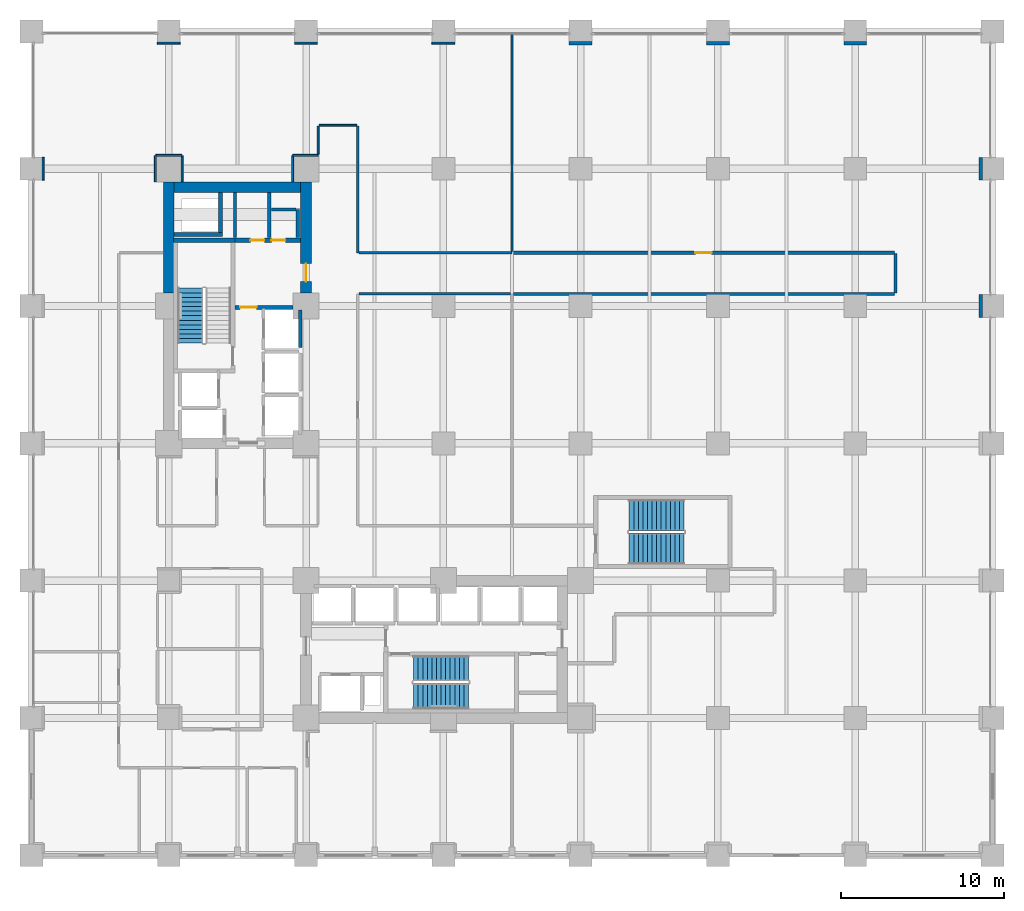
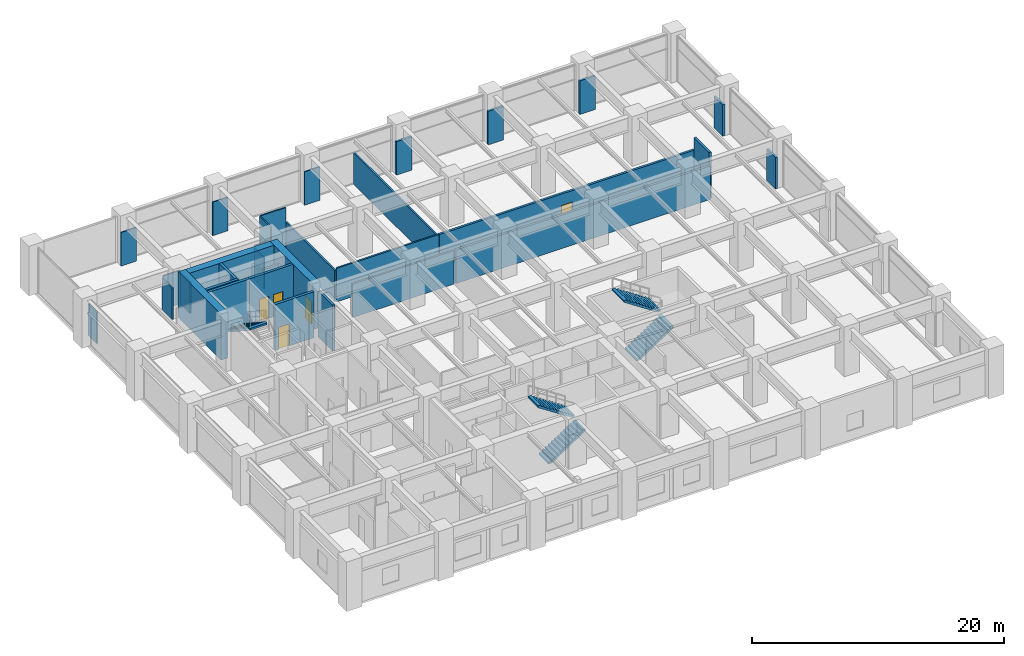
# One storey, part 22 of 24: 36 walls, 5 doors, 5 stair flights, 5 openings, 3 elements without a shape of their own.
"""IFC4 building model written with IfcOpenShell, lengths in metres."""

from ifc_helpers import new_model, si_unit, direction, frame, frame_2d, origin, place, context, subcontext, project, spatial, polyline, rectangle, outline, extrude, material, layer, layer_set, type_object, element, fill, aggregate, save


model = new_model("IFC4")

# Units and contexts
model_context = context("Model", 3, precision=1e-05, world=origin(), true_north=direction((0.0, 1.0)))
body_context = subcontext(model_context, "Body", "Model", "MODEL_VIEW")
ifc_project = project(units=[si_unit("LENGTHUNIT", "METRE"), si_unit("AREAUNIT", "SQUARE_METRE"), si_unit("VOLUMEUNIT", "CUBIC_METRE"), si_unit("PLANEANGLEUNIT", "RADIAN"), si_unit("MASSUNIT", "GRAM", prefix="KILO")], contexts=[model_context])

# Site, building, storey
site_placement = place(None, origin())
site = spatial("IfcSite", under=ifc_project, at=site_placement, CompositionType="ELEMENT")
building_placement = place(site_placement, origin())
building = spatial("IfcBuilding", under=site, at=building_placement, Name="Nerrivon Quay Data Exchange", CompositionType="ELEMENT")
storey_placement = place(building_placement, frame((0.0, 0.0, 15.0)))
storey = spatial("IfcBuildingStorey", under=building, at=storey_placement, Name="L03", CompositionType="ELEMENT", Elevation=15.0)

# Walls
ifc_material_1 = material(Name="Concrete N80 (80 MPa)", Category="concrete")
ifc_layer_1 = layer(ifc_material_1, 0.64990234375)
ifc_layer_set_1 = layer_set([ifc_layer_1], Name="Concrete N80 (80 MPa)")
wall_type_1 = type_object("IfcWallType", Name="WALL-CW-850", PredefinedType="SHEAR", material=ifc_layer_set_1)
wall_1_placement = place(storey_placement, frame((8.39990234375, 34.39990234375, 0.0), z_axis=(0.0, 0.0, 1.0), x_axis=(0.0, 1.0, 0.0)))
element("IfcWall", 1, at=wall_1_placement, inside=storey, type_object=wall_type_1, Name="L03 West Split-Core Shear Wall WCW-W2", PredefinedType="SHEAR", context=body_context, shape_type="SweptSolid", body=[
    extrude(rectangle(XDim=6.800048828125, YDim=0.64990234375, at=frame_2d((3.39990234375, 0.0))), origin(), (0.0, 0.0, 1.0), 4.449951171875),
])
wall_2_placement = place(storey_placement, frame((8.72509765625, 40.875, 0.0), z_axis=(0.0, 0.0, 1.0), x_axis=(1.0, 0.0, 0.0)))
element("IfcWall", 2, at=wall_2_placement, inside=storey, type_object=wall_type_1, Name="L03 West Split-Core Shear Wall WCW-N1", PredefinedType="SHEAR", context=body_context, shape_type="SweptSolid", body=[
    extrude(rectangle(XDim=7.75, YDim=0.64990234375, at=frame_2d((3.875, 0.0))), origin(), (0.0, 0.0, 1.0), 4.449951171875),
])

# Wall, opening, door
wall_3_placement = place(storey_placement, frame((16.800048828125, 34.39990234375, 0.0), z_axis=(0.0, 0.0, 1.0), x_axis=(0.0, 1.0, 0.0)))
wall_3 = element("IfcWall", 3, at=wall_3_placement, inside=storey, type_object=wall_type_1, Name="L03 West Split-Core Shear Wall WCW-E1", PredefinedType="SHEAR", context=body_context, shape_type="SweptSolid", body=[
    extrude(rectangle(XDim=6.800048828125, YDim=0.64990234375, at=frame_2d((3.39990234375, 0.0))), origin(), (0.0, 0.0, 1.0), 4.449951171875),
])
opening_1_placement = place(wall_3_placement, frame((0.699951171875, 0.0, 0.0)))
opening_1 = element("IfcOpeningElement", 4, at=opening_1_placement, cuts=wall_3, Name="Opening FD-120", PredefinedType="OPENING", context=body_context, shape_type="SweptSolid", body=[
    extrude(rectangle(XDim=1.10009765625, YDim=2.14990234375, at=frame_2d((0.550048828125, 1.074951171875))), frame((0.0, 0.3349609375, 0.0), z_axis=(0.0, -1.0, 0.0), x_axis=(1.0, 0.0, 0.0)), (0.0, 0.0, 1.0), 0.669921875),
])
ifc_material_2 = material(Name="Powder-coated galvanized steel sheet", Category="steel")
door_type_1 = type_object("IfcDoorType", Name="DR-FD120-1100", OperationType="NOTDEFINED", PredefinedType="DOOR", material=ifc_material_2)
door_1_placement = place(opening_1_placement, origin())
door_1 = element("IfcDoor", 5, at=door_1_placement, inside=storey, type_object=door_type_1, Name="L03 West Core Lobby Fire Door", OperationType="SINGLE_SWING_RIGHT", OverallHeight=2.14990234375, OverallWidth=1.10009765625, PredefinedType="DOOR", context=body_context, shape_type="SweptSolid", body=[
    extrude(rectangle(XDim=1.10009765625, YDim=2.14990234375, at=frame_2d((0.550048828125, 1.074951171875))), frame((0.0, 0.02490234375, 0.0), z_axis=(0.0, -1.0, 0.0), x_axis=(1.0, 0.0, 0.0)), (0.0, 0.0, 1.0), 0.050048828125),
])
fill(opening_1, door_1)

# Walls
ifc_material_3 = material(Name="Gypsum plasterboard on cold-formed framing", Category="gypsum")
ifc_layer_2 = layer(ifc_material_3, 0.199951171875)
ifc_layer_set_2 = layer_set([ifc_layer_2], Name="Gypsum plasterboard on cold-formed framing")
wall_type_2 = type_object("IfcWallType", Name="WALL-FW-200", PredefinedType="PARTITIONING", material=ifc_layer_set_2)
wall_4_placement = place(storey_placement, frame((16.449951171875, 31.050048828125, 0.0), z_axis=(0.0, 0.0, 1.0), x_axis=(0.0, 1.0, 0.0)))
element("IfcWall", 6, at=wall_4_placement, inside=storey, type_object=wall_type_2, Name="L03 Lift Shaft Wall PL3 EAST", PredefinedType="PARTITIONING", context=body_context, shape_type="SweptSolid", body=[
    extrude(rectangle(XDim=2.300048828125, YDim=0.199951171875, at=frame_2d((1.14990234375, 0.0))), origin(), (0.0, 0.0, 1.0), 4.449951171875),
])
for number, where, z_axis, x_axis, name in (
    (7, (14.550048828125, 37.780029296875, 0.0), (0.0, 0.0, 1.0), (0.0, 1.0, 0.0), "L03 Partition Electrical Switchboard Closet"),
    (8, (12.449951171875, 40.5458984375, 0.0), (0.0, 0.0, 1.0), (0.0, -1.0, 0.0), "L03 Partition Electrical Switchboard Closet"),
):
    element("IfcWall", number, at=place(storey_placement, frame(where, z_axis=z_axis, x_axis=x_axis)), inside=storey, type_object=wall_type_2, Name=name, PredefinedType="PARTITIONING", context=body_context, shape_type="SweptSolid", body=[
        extrude(rectangle(XDim=2.765869140625, YDim=0.199951171875, at=frame_2d((1.3828125, 0.0))), origin(), (0.0, 0.0, 1.0), 3.35009765625),
    ])
wall_5_placement = place(storey_placement, frame((16.300048828125, 37.780029296875, 0.0), z_axis=(0.0, 0.0, 1.0), x_axis=(0.0, 1.0, 0.0)))
element("IfcWall", 9, at=wall_5_placement, inside=storey, type_object=wall_type_2, Name="L03 Partition Janitor Closet", PredefinedType="PARTITIONING", context=body_context, shape_type="SweptSolid", body=[
    extrude(rectangle(XDim=1.719970703125, YDim=0.199951171875, at=frame_2d((0.85986328125, 0.0))), origin(), (0.0, 0.0, 1.0), 3.35009765625),
])
wall_6_placement = place(storey_placement, frame((16.196044921875, 39.5, 0.0), z_axis=(0.0, 0.0, 1.0), x_axis=(-1.0, 0.0, 0.0)))
element("IfcWall", 10, at=wall_6_placement, inside=storey, type_object=wall_type_2, Name="L03 Partition Janitor Closet", PredefinedType="PARTITIONING", context=body_context, shape_type="SweptSolid", body=[
    extrude(rectangle(XDim=1.506103515625, YDim=0.199951171875, at=frame_2d((0.7529296875, 0.0))), origin(), (0.0, 0.0, 1.0), 3.35009765625),
])
wall_7_placement = place(storey_placement, frame((58.080078125, 32.89990234375, 0.0), z_axis=(0.0, 0.0, 1.0), x_axis=(0.0, 1.0, 0.0)))
element("IfcWall", 11, at=wall_7_placement, inside=storey, type_object=wall_type_2, Name="L03 Partition Colocation Data Workspace 1 10", PredefinedType="PARTITIONING", context=body_context, shape_type="SweptSolid", body=[
    extrude(rectangle(XDim=1.400146484375, YDim=0.199951171875, at=frame_2d((0.7001953125, 0.0))), origin(), (0.0, 0.0, 1.0), 3.050048828125),
])
wall_8_placement = place(storey_placement, frame((58.080078125, 41.300048828125, 0.0), z_axis=(0.0, 0.0, 1.0), x_axis=(0.0, 1.0, 0.0)))
element("IfcWall", 12, at=wall_8_placement, inside=storey, type_object=wall_type_2, Name="L03 Partition Colocation Data Workspace 1 10", PredefinedType="PARTITIONING", context=body_context, shape_type="SweptSolid", body=[
    extrude(rectangle(XDim=1.39990234375, YDim=0.199951171875, at=frame_2d((0.699951171875, 0.0))), origin(), (0.0, 0.0, 1.0), 3.050048828125),
])
wall_9_placement = place(storey_placement, frame((51.10009765625, 49.679931640625, 0.0), z_axis=(0.0, 0.0, 1.0), x_axis=(-1.0, 0.0, 0.0)))
element("IfcWall", 13, at=wall_9_placement, inside=storey, type_object=wall_type_2, Name="L03 Partition Colocation Data Workspace 1 10", PredefinedType="PARTITIONING", context=body_context, shape_type="SweptSolid", body=[
    extrude(rectangle(XDim=1.400146484375, YDim=0.199951171875, at=frame_2d((0.7001953125, 0.0))), origin(), (0.0, 0.0, 1.0), 3.25),
])
wall_10_placement = place(storey_placement, frame((42.699951171875, 49.679931640625, 0.0), z_axis=(0.0, 0.0, 1.0), x_axis=(-1.0, 0.0, 0.0)))
element("IfcWall", 14, at=wall_10_placement, inside=storey, type_object=wall_type_2, Name="L03 Partition Colocation Data Workspace 1 10", PredefinedType="PARTITIONING", context=body_context, shape_type="SweptSolid", body=[
    extrude(rectangle(XDim=1.39990234375, YDim=0.199951171875, at=frame_2d((0.699951171875, 0.0))), origin(), (0.0, 0.0, 1.0), 3.25),
])
wall_11_placement = place(storey_placement, frame((34.300048828125, 49.679931640625, 0.0), z_axis=(0.0, 0.0, 1.0), x_axis=(-1.0, 0.0, 0.0)))
element("IfcWall", 15, at=wall_11_placement, inside=storey, type_object=wall_type_2, Name="L03 Partition Colocation Data Workspace 1 10", PredefinedType="PARTITIONING", context=body_context, shape_type="SweptSolid", body=[
    extrude(rectangle(XDim=1.400146484375, YDim=0.199951171875, at=frame_2d((0.7001953125, 0.0))), origin(), (0.0, 0.0, 1.0), 3.25),
])

# Wall, opening, door
wall_12_placement = place(storey_placement, frame((29.419921875, 36.860107421875, 0.0), z_axis=(0.0, 0.0, 1.0), x_axis=(0.999999999782, -2.0879224e-05, 0.0)))
wall_12 = element("IfcWall", 16, at=wall_12_placement, inside=storey, type_object=wall_type_2, Name="L03 Partition Colocation Data Workspace 1 10", PredefinedType="PARTITIONING", context=body_context, shape_type="SweptSolid", body=[
    extrude(rectangle(XDim=23.385986328125, YDim=0.199951171875, at=frame_2d((11.69287109375, 0.0))), origin(), (0.0, 0.0, 1.0), 3.25),
])
opening_2_placement = place(wall_12_placement, frame((11.193115234375, 0.0, 0.0)))
opening_2 = element("IfcOpeningElement", 17, at=opening_2_placement, cuts=wall_12, Name="Opening FD-60", PredefinedType="OPENING", context=body_context, shape_type="SweptSolid", body=[
    extrude(rectangle(XDim=1.0, YDim=2.14990234375, at=frame_2d((0.5, 1.074951171875))), frame((0.0, 0.10986328125, 0.0), z_axis=(0.0, -1.0, 0.0), x_axis=(1.0, 0.0, 0.0)), (0.0, 0.0, 1.0), 0.219970703125),
])
ifc_material_4 = material(Name="Engineered hardwood timber", Category="wood")
door_type_2 = type_object("IfcDoorType", Name="DR-FD60-1000", OperationType="NOTDEFINED", PredefinedType="DOOR", material=ifc_material_4)
door_2_placement = place(opening_2_placement, origin())
door_2 = element("IfcDoor", 18, at=door_2_placement, inside=storey, type_object=door_type_2, Name="L03 Door Colocation Data Workspace 1 10", OperationType="SINGLE_SWING_LEFT", OverallHeight=2.14990234375, OverallWidth=1.0, PredefinedType="DOOR", context=body_context, shape_type="SweptSolid", body=[
    extrude(rectangle(XDim=1.0, YDim=2.14990234375, at=frame_2d((0.5, 1.074951171875))), frame((0.0, 0.02490234375, 0.0), z_axis=(0.0, -1.0, 0.0), x_axis=(1.0, 0.0, 0.0)), (0.0, 0.0, 1.0), 0.050048828125),
])
fill(opening_2, door_2)

# Walls
wall_13_placement = place(storey_placement, frame((52.860107421875, 36.800048828125, 0.0), z_axis=(0.0, 0.0, 1.0), x_axis=(0.0, -1.0, 0.0)))
element("IfcWall", 19, at=wall_13_placement, inside=storey, type_object=wall_type_2, Name="L03 Partition Colocation Data Workspace 1 10", PredefinedType="PARTITIONING", context=body_context, shape_type="SweptSolid", body=[
    extrude(rectangle(XDim=2.400146484375, YDim=0.199951171875, at=frame_2d((1.2001953125, 0.0))), origin(), (0.0, 0.0, 1.0), 4.449951171875),
])
wall_14_placement = place(storey_placement, frame((52.800048828125, 34.340087890625, 0.0), z_axis=(0.0, 0.0, 1.0), x_axis=(-1.0, 0.0, 0.0)))
element("IfcWall", 20, at=wall_14_placement, inside=storey, type_object=wall_type_2, Name="L03 Partition Colocation Data Workspace 1 10", PredefinedType="PARTITIONING", context=body_context, shape_type="SweptSolid", body=[
    extrude(rectangle(XDim=23.321044921875, YDim=0.199951171875, at=frame_2d((11.66064453125, 0.0))), origin(), (0.0, 0.0, 1.0), 3.25),
])
ifc_layer_3 = layer(ifc_material_3, 0.1201171875)
ifc_layer_set_3 = layer_set([ifc_layer_3], Name="Gypsum plasterboard on cold-formed framing")
wall_type_3 = type_object("IfcWallType", Name="WALL-PT-120", PredefinedType="PARTITIONING", material=ifc_layer_set_3)
for number, where, z_axis, x_axis, name in (
    (21, (25.89990234375, 49.679931640625, 0.0), (0.0, 0.0, 1.0), (-1.0, 0.0, 0.0), "L03 Partition Network Operations Office 1 9"),
    (22, (17.5, 49.679931640625, 0.0), (0.0, 0.0, 1.0), (-1.0, 0.0, 0.0), "L03 Partition Network Operations Office 1 9"),
):
    element("IfcWall", number, at=place(storey_placement, frame(where, z_axis=z_axis, x_axis=x_axis)), inside=storey, type_object=wall_type_3, Name=name, PredefinedType="PARTITIONING", context=body_context, shape_type="SweptSolid", body=[
        extrude(rectangle(XDim=1.39990234375, YDim=0.1201171875, at=frame_2d((0.699951171875, 0.0))), origin(), (0.0, 0.0, 1.0), 3.25),
    ])
wall_15_placement = place(storey_placement, frame((9.10009765625, 49.679931640625, 0.0), z_axis=(0.0, 0.0, 1.0), x_axis=(-1.0, 0.0, 0.0)))
element("IfcWall", 23, at=wall_15_placement, inside=storey, type_object=wall_type_3, Name="L03 Partition Network Operations Office 1 9", PredefinedType="PARTITIONING", context=body_context, shape_type="SweptSolid", body=[
    extrude(rectangle(XDim=1.400146484375, YDim=0.1201171875, at=frame_2d((0.7001953125, 0.0))), origin(), (0.0, 0.0, 1.0), 3.25),
])
wall_16_placement = place(storey_placement, frame((0.719970703125, 42.699951171875, 0.0), z_axis=(0.0, 0.0, 1.0), x_axis=(0.0, -1.0, 0.0)))
element("IfcWall", 24, at=wall_16_placement, inside=storey, type_object=wall_type_3, Name="L03 Partition Network Operations Office 1 9", PredefinedType="PARTITIONING", context=body_context, shape_type="SweptSolid", body=[
    extrude(rectangle(XDim=1.39990234375, YDim=0.1201171875, at=frame_2d((0.699951171875, 0.0))), origin(), (0.0, 0.0, 1.0), 3.050048828125),
])
wall_17_placement = place(storey_placement, frame((7.580810546875, 41.194091796875, 0.0), z_axis=(0.0, 0.0, 1.0), x_axis=(-0.000456065626, 0.999999896002, 0.0)))
element("IfcWall", 25, at=wall_17_placement, inside=storey, type_object=wall_type_3, Name="L03 Partition Network Operations Office 1 9", PredefinedType="PARTITIONING", context=body_context, shape_type="SweptSolid", body=[
    extrude(rectangle(XDim=1.60595703125, YDim=0.1201171875, at=frame_2d((0.802978515625, 0.0))), origin(), (0.0, 0.0, 1.0), 3.050048828125),
])
wall_18_placement = place(storey_placement, frame((7.60009765625, 42.820068359375, 0.0), z_axis=(0.0, 0.0, 1.0), x_axis=(1.0, 0.0, 0.0)))
element("IfcWall", 26, at=wall_18_placement, inside=storey, type_object=wall_type_3, Name="L03 Partition Network Operations Office 1 9", PredefinedType="PARTITIONING", context=body_context, shape_type="SweptSolid", body=[
    extrude(rectangle(XDim=1.599853515625, YDim=0.1201171875, at=frame_2d((0.7998046875, 0.0))), origin(), (0.0, 0.0, 1.0), 3.25),
])
for number, where, z_axis, x_axis, name in (
    (27, (9.219970703125, 42.800048828125, 0.0), (0.0, 0.0, 1.0), (0.0, -1.0, 0.0), "L03 Partition Network Operations Office 1 9"),
    (28, (15.97998046875, 41.2041015625, 0.0), (0.0, 0.0, 1.0), (0.0, 1.0, 0.0), "L03 Partition Network Operations Office 1 9"),
):
    element("IfcWall", number, at=place(storey_placement, frame(where, z_axis=z_axis, x_axis=x_axis)), inside=storey, type_object=wall_type_3, Name=name, PredefinedType="PARTITIONING", context=body_context, shape_type="SweptSolid", body=[
        extrude(rectangle(XDim=1.595947265625, YDim=0.1201171875, at=frame_2d((0.7978515625, 0.0))), origin(), (0.0, 0.0, 1.0), 3.050048828125),
    ])
wall_19_placement = place(storey_placement, frame((16.0, 42.820068359375, 0.0), z_axis=(0.0, 0.0, 1.0), x_axis=(1.0, 0.0, 0.0)))
element("IfcWall", 29, at=wall_19_placement, inside=storey, type_object=wall_type_3, Name="L03 Partition Network Operations Office 1 9", PredefinedType="PARTITIONING", context=body_context, shape_type="SweptSolid", body=[
    extrude(rectangle(XDim=1.5400390625, YDim=0.1201171875, at=frame_2d((0.77001953125, 0.0))), origin(), (0.0, 0.0, 1.0), 3.25),
])
wall_20_placement = place(storey_placement, frame((17.5400390625, 42.884033203125, 0.0), z_axis=(0.0, 0.0, 1.0), x_axis=(0.0, 1.0, 0.0)))
element("IfcWall", 30, at=wall_20_placement, inside=storey, type_object=wall_type_3, Name="L03 Partition Network Operations Office 1 9", PredefinedType="PARTITIONING", context=body_context, shape_type="SweptSolid", body=[
    extrude(rectangle(XDim=1.716064453125, YDim=0.1201171875, at=frame_2d((0.85791015625, 0.0))), origin(), (0.0, 0.0, 1.0), 4.449951171875),
])
wall_21_placement = place(storey_placement, frame((17.60009765625, 44.659912109375, 0.0), z_axis=(0.0, 0.0, 1.0), x_axis=(1.0, 0.0, 0.0)))
element("IfcWall", 31, at=wall_21_placement, inside=storey, type_object=wall_type_3, Name="L03 Partition Network Operations Office 1 9", PredefinedType="PARTITIONING", context=body_context, shape_type="SweptSolid", body=[
    extrude(rectangle(XDim=2.2998046875, YDim=0.1201171875, at=frame_2d((1.14990234375, 0.0))), origin(), (0.0, 0.0, 1.0), 4.449951171875),
])
ifc_layer_4 = layer(ifc_material_3, 0.14990234375)
ifc_layer_set_4 = layer_set([ifc_layer_4], Name="Gypsum plasterboard on cold-formed framing")
wall_type_4 = type_object("IfcWallType", Name="WALL-PT-150", PredefinedType="PARTITIONING", material=ifc_layer_set_4)
wall_22_placement = place(storey_placement, frame((29.321044921875, 34.340087890625, 0.0), z_axis=(0.0, 0.0, 1.0), x_axis=(-1.0, 0.0, 0.0)))
element("IfcWall", 32, at=wall_22_placement, inside=storey, type_object=wall_type_4, Name="L03 Partition Shared Breakout Kitchenette 8", PredefinedType="PARTITIONING", context=body_context, shape_type="SweptSolid", body=[
    extrude(rectangle(XDim=9.281982421875, YDim=0.14990234375, at=frame_2d((4.64111328125, 0.0))), origin(), (0.0, 0.0, 1.0), 3.25),
])
wall_23_placement = place(storey_placement, frame((19.9599609375, 44.60009765625, 0.0), z_axis=(0.0, 0.0, 1.0), x_axis=(0.0, -1.0, 0.0)))
element("IfcWall", 33, at=wall_23_placement, inside=storey, type_object=wall_type_4, Name="L03 Partition Network Operations Office 1 9", PredefinedType="PARTITIONING", context=body_context, shape_type="SweptSolid", body=[
    extrude(rectangle(XDim=7.739990234375, YDim=0.14990234375, at=frame_2d((3.8701171875, 0.0))), origin(), (0.0, 0.0, 1.0), 3.050048828125),
])
wall_24_placement = place(storey_placement, frame((20.0390625, 36.860107421875, 0.0), z_axis=(0.0, 0.0, 1.0), x_axis=(1.0, 0.0, 0.0)))
element("IfcWall", 34, at=wall_24_placement, inside=storey, type_object=wall_type_4, Name="L03 Partition Network Operations Office 1 9", PredefinedType="PARTITIONING", context=body_context, shape_type="SweptSolid", body=[
    extrude(rectangle(XDim=9.36083984375, YDim=0.14990234375, at=frame_2d((4.680419921875, 0.0))), origin(), (0.0, 0.0, 1.0), 3.25),
])
wall_25_placement = place(storey_placement, frame((29.39990234375, 36.93896484375, 0.0), z_axis=(0.0, 0.0, 1.0), x_axis=(0.0, 1.0, 0.0)))
element("IfcWall", 35, at=wall_25_placement, inside=storey, type_object=wall_type_4, Name="L03 Partition Network Operations Office 1 9", PredefinedType="PARTITIONING", context=body_context, shape_type="SweptSolid", body=[
    extrude(rectangle(XDim=13.2919921875, YDim=0.14990234375, at=frame_2d((6.64599609375, 0.0))), origin(), (0.0, 0.0, 1.0), 3.050048828125),
])
ifc_material_5 = material(Name="Concrete N50 (50 MPa)", Category="concrete")
ifc_layer_5 = layer(ifc_material_5, 0.25)
ifc_layer_set_5 = layer_set([ifc_layer_5], Name="Concrete N50 (50 MPa)")
wall_type_5 = type_object("IfcWallType", Name="WALL-SW-250", PredefinedType="SHEAR", material=ifc_layer_set_5)
wall_26_placement = place(storey_placement, frame((12.449951171875, 37.625, 0.0), z_axis=(0.0, 0.0, 1.0), x_axis=(-1.0, 0.0, 0.0)))
element("IfcWall", 36, at=wall_26_placement, inside=storey, type_object=wall_type_5, Name="L03 ST01 Structural Stair Core Wall FAR", PredefinedType="SHEAR", context=body_context, shape_type="SweptSolid", body=[
    extrude(rectangle(XDim=3.75, YDim=0.25, at=frame_2d((1.875, 0.0))), origin(), (0.0, 0.0, 1.0), 4.449951171875),
])
wall_27_placement = place(storey_placement, frame((8.72509765625, 37.97509765625, 0.0), z_axis=(0.0, 0.0, 1.0), x_axis=(1.0, 0.0, 0.0)))
element("IfcWall", 37, at=wall_27_placement, inside=storey, type_object=wall_type_5, Name="L03 West Core MEP Riser Shaft Wall S", PredefinedType="SHEAR", context=body_context, shape_type="SweptSolid", body=[
    extrude(rectangle(XDim=2.974853515625, YDim=0.25, at=frame_2d((1.4873046875, 0.0))), origin(), (0.0, 0.0, 1.0), 4.449951171875),
])
wall_28_placement = place(storey_placement, frame((11.574951171875, 38.10009765625, 0.0), z_axis=(0.0, 0.0, 1.0), x_axis=(0.0, 1.0, 0.0)))
element("IfcWall", 38, at=wall_28_placement, inside=storey, type_object=wall_type_5, Name="L03 West Core MEP Riser Shaft Wall E", PredefinedType="SHEAR", context=body_context, shape_type="SweptSolid", body=[
    extrude(rectangle(XDim=2.449951171875, YDim=0.25, at=frame_2d((1.22509765625, 0.0))), origin(), (0.0, 0.0, 1.0), 4.449951171875),
])

# Wall, opening, door
wall_29_placement = place(storey_placement, frame((12.449951171875, 33.52001953125, 0.0), z_axis=(0.0, 0.0, 1.0), x_axis=(1.0, 0.0, 0.0)))
wall_29 = element("IfcWall", 39, at=wall_29_placement, inside=storey, type_object=wall_type_5, Name="L03 West Lobby Smoke-Stop Wall", PredefinedType="SHEAR", context=body_context, shape_type="SweptSolid", body=[
    extrude(rectangle(XDim=3.550048828125, YDim=0.25, at=frame_2d((1.77490234375, 0.0))), origin(), (0.0, 0.0, 1.0), 4.449951171875),
])
opening_3_placement = place(wall_29_placement, frame((0.320068359375, 0.0, 0.0)))
opening_3 = element("IfcOpeningElement", 40, at=opening_3_placement, cuts=wall_29, Name="Opening FD-60", PredefinedType="OPENING", context=body_context, shape_type="SweptSolid", body=[
    extrude(rectangle(XDim=1.0, YDim=2.14990234375, at=frame_2d((0.5, 1.074951171875))), frame((0.0, 0.135009765625, 0.0), z_axis=(0.0, -1.0, 0.0), x_axis=(1.0, 0.0, 0.0)), (0.0, 0.0, 1.0), 0.27001953125),
])
door_3_placement = place(opening_3_placement, origin())
door_3 = element("IfcDoor", 41, at=door_3_placement, inside=storey, type_object=door_type_2, Name="L03 West Firefighting Lobby Fire Door", OperationType="SINGLE_SWING_LEFT", OverallHeight=2.14990234375, OverallWidth=1.0, PredefinedType="DOOR", context=body_context, shape_type="SweptSolid", body=[
    extrude(rectangle(XDim=1.0, YDim=2.14990234375, at=frame_2d((0.5, 1.074951171875))), frame((0.0, 0.02490234375, 0.0), z_axis=(0.0, -1.0, 0.0), x_axis=(1.0, 0.0, 0.0)), (0.0, 0.0, 1.0), 0.050048828125),
])
fill(opening_3, door_3)

# Wall, openings, doors
wall_30_placement = place(storey_placement, frame((12.449951171875, 37.625, 0.0), z_axis=(0.0, 0.0, 1.0), x_axis=(1.0, 0.0, 0.0)))
wall_30 = element("IfcWall", 42, at=wall_30_placement, inside=storey, type_object=wall_type_5, Name="L03 West Firefighting Lobby Wall", PredefinedType="SHEAR", context=body_context, shape_type="SweptSolid", body=[
    extrude(rectangle(XDim=4.025146484375, YDim=0.25, at=frame_2d((2.0126953125, 0.0))), origin(), (0.0, 0.0, 1.0), 4.449951171875),
])
opening_4_placement = place(wall_30_placement, frame((0.943603515625, 0.0, 0.0)))
opening_4 = element("IfcOpeningElement", 43, at=opening_4_placement, cuts=wall_30, Name="Opening FD-60S", PredefinedType="OPENING", context=body_context, shape_type="SweptSolid", body=[
    extrude(rectangle(XDim=0.85009765625, YDim=2.14990234375, at=frame_2d((0.425048828125, 1.074951171875))), frame((0.0, 0.135009765625, 0.0), z_axis=(0.0, -1.0, 0.0), x_axis=(1.0, 0.0, 0.0)), (0.0, 0.0, 1.0), 0.27001953125),
])
opening_5_placement = place(wall_30_placement, frame((2.2314453125, 0.0, 0.0)))
opening_5 = element("IfcOpeningElement", 44, at=opening_5_placement, cuts=wall_30, Name="Opening FD-60S", PredefinedType="OPENING", context=body_context, shape_type="SweptSolid", body=[
    extrude(rectangle(XDim=0.85009765625, YDim=2.14990234375, at=frame_2d((0.425048828125, 1.074951171875))), frame((0.0, 0.135009765625, 0.0), z_axis=(0.0, -1.0, 0.0), x_axis=(1.0, 0.0, 0.0)), (0.0, 0.0, 1.0), 0.27001953125),
])
door_type_3 = type_object("IfcDoorType", Name="DR-FD60-850", OperationType="NOTDEFINED", PredefinedType="DOOR", material=ifc_material_4)
door_4_placement = place(opening_4_placement, origin())
door_4 = element("IfcDoor", 45, at=door_4_placement, inside=storey, type_object=door_type_3, Name="L03 Door Electrical Switchboard Closet", OperationType="SINGLE_SWING_LEFT", OverallHeight=2.14990234375, OverallWidth=0.85009765625, PredefinedType="DOOR", context=body_context, shape_type="SweptSolid", body=[
    extrude(rectangle(XDim=0.85009765625, YDim=2.14990234375, at=frame_2d((0.425048828125, 1.074951171875))), frame((0.0, 0.02490234375, 0.0), z_axis=(0.0, -1.0, 0.0), x_axis=(1.0, 0.0, 0.0)), (0.0, 0.0, 1.0), 0.050048828125),
])
fill(opening_4, door_4)
door_5_placement = place(opening_5_placement, origin())
door_5 = element("IfcDoor", 46, at=door_5_placement, inside=storey, type_object=door_type_3, Name="L03 Door Janitor Closet", OperationType="SINGLE_SWING_RIGHT", OverallHeight=2.14990234375, OverallWidth=0.85009765625, PredefinedType="DOOR", context=body_context, shape_type="SweptSolid", body=[
    extrude(rectangle(XDim=0.85009765625, YDim=2.14990234375, at=frame_2d((0.425048828125, 1.074951171875))), frame((0.0, 0.02490234375, 0.0), z_axis=(0.0, -1.0, 0.0), x_axis=(1.0, 0.0, 0.0)), (0.0, 0.0, 1.0), 0.050048828125),
])
fill(opening_5, door_5)

# Stair, stair flight
stair_type = type_object("IfcStairType", Name="STAIR-DOG-48", PredefinedType="HALF_TURN_STAIR", material=ifc_material_5)
stair_1_placement = place(storey_placement, origin())
stair_1 = element("IfcStair", 47, at=stair_1_placement, inside=storey, type_object=stair_type, Name="L03 West Core Fire Stair ST01", PredefinedType="HALF_TURN_STAIR")
stair_flight_type = type_object("IfcStairFlightType", Name="FLIGHT-DOG-48", PredefinedType="STRAIGHT", material=ifc_material_5)
stair_flight_1_placement = place(storey_placement, frame((9.72509765625, 34.68994140625, 2.39990234375), z_axis=(0.0, 0.0, 1.0), x_axis=(0.0, -1.0, 0.0)))
stair_flight_1 = element("IfcStairFlight", 48, at=stair_flight_1_placement, type_object=stair_flight_type, Name="ST01 flight 2", NumberOfRisers=13, NumberOfTreads=12, PredefinedType="STRAIGHT", RiserHeight=0.184615385, TreadLength=0.28, context=body_context, shape_type="SweptSolid", body=[
    extrude(outline(polyline([(0.0, 0.0), (0.0, 0.1845703125), (0.280029296875, 0.1845703125), (0.280029296875, 0.369140625), (0.56005859375, 0.369140625), (0.56005859375, 0.553955078125), (0.840087890625, 0.553955078125), (0.840087890625, 0.738525390625), (1.1201171875, 0.738525390625), (1.1201171875, 0.923095703125), (1.39990234375, 0.923095703125), (1.39990234375, 1.107666015625), (1.679931640625, 1.107666015625), (1.679931640625, 1.292236328125), (1.9599609375, 1.292236328125), (1.9599609375, 1.476806640625), (2.239990234375, 1.476806640625), (2.239990234375, 1.66162109375), (2.52001953125, 1.66162109375), (2.52001953125, 1.84619140625), (2.800048828125, 1.84619140625), (2.800048828125, 2.03076171875), (3.080078125, 2.03076171875), (3.080078125, 2.21533203125), (3.360107421875, 2.21533203125), (3.360107421875, 2.39990234375), (3.360107421875, 2.035888671875), (0.272216796875, 0.0), (0.0, 0.0)])), frame((0.0, 0.77490234375, 0.0), z_axis=(0.0, -1.0, 0.0), x_axis=(1.0, 0.0, 0.0)), (0.0, 0.0, 1.0), 1.550048828125),
])
aggregate(stair_1, [stair_flight_1])

# Stair, stair flights
stair_2_placement = place(storey_placement, origin())
stair_2 = element("IfcStair", 49, at=stair_2_placement, inside=storey, type_object=stair_type, Name="L03 East Core Fire Stair ST02", PredefinedType="HALF_TURN_STAIR")
stair_flight_2_placement = place(storey_placement, frame((23.3798828125, 9.72509765625, 0.0), z_axis=(0.0, 0.0, 1.0), x_axis=(1.0, 0.0, 0.0)))
stair_flight_2 = element("IfcStairFlight", 50, at=stair_flight_2_placement, type_object=stair_flight_type, Name="ST02 flight 1", NumberOfRisers=13, NumberOfTreads=12, PredefinedType="STRAIGHT", RiserHeight=0.184615385, TreadLength=0.28, context=body_context, shape_type="SweptSolid", body=[
    extrude(outline(polyline([(0.0, 0.0), (0.0, 0.1845703125), (0.280029296875, 0.1845703125), (0.280029296875, 0.369140625), (0.56005859375, 0.369140625), (0.56005859375, 0.553955078125), (0.840087890625, 0.553955078125), (0.840087890625, 0.738525390625), (1.1201171875, 0.738525390625), (1.1201171875, 0.923095703125), (1.39990234375, 0.923095703125), (1.39990234375, 1.107666015625), (1.679931640625, 1.107666015625), (1.679931640625, 1.292236328125), (1.9599609375, 1.292236328125), (1.9599609375, 1.476806640625), (2.239990234375, 1.476806640625), (2.239990234375, 1.66162109375), (2.52001953125, 1.66162109375), (2.52001953125, 1.84619140625), (2.800048828125, 1.84619140625), (2.800048828125, 2.03076171875), (3.080078125, 2.03076171875), (3.080078125, 2.21533203125), (3.360107421875, 2.21533203125), (3.360107421875, 2.39990234375), (3.360107421875, 2.035888671875), (0.272216796875, 0.0), (0.0, 0.0)])), frame((0.0, 0.77490234375, 0.0), z_axis=(0.0, -1.0, 0.0), x_axis=(1.0, 0.0, 0.0)), (0.0, 0.0, 1.0), 1.550048828125),
])
stair_flight_3_placement = place(storey_placement, frame((26.739990234375, 11.425048828125, 2.39990234375), z_axis=(0.0, 0.0, 1.0), x_axis=(-1.0, 0.0, 0.0)))
stair_flight_3 = element("IfcStairFlight", 51, at=stair_flight_3_placement, type_object=stair_flight_type, Name="ST02 flight 2", NumberOfRisers=13, NumberOfTreads=12, PredefinedType="STRAIGHT", RiserHeight=0.184615385, TreadLength=0.28, context=body_context, shape_type="SweptSolid", body=[
    extrude(outline(polyline([(0.0, 0.0), (0.0, 0.1845703125), (0.280029296875, 0.1845703125), (0.280029296875, 0.369140625), (0.56005859375, 0.369140625), (0.56005859375, 0.553955078125), (0.840087890625, 0.553955078125), (0.840087890625, 0.738525390625), (1.1201171875, 0.738525390625), (1.1201171875, 0.923095703125), (1.39990234375, 0.923095703125), (1.39990234375, 1.107666015625), (1.679931640625, 1.107666015625), (1.679931640625, 1.292236328125), (1.9599609375, 1.292236328125), (1.9599609375, 1.476806640625), (2.239990234375, 1.476806640625), (2.239990234375, 1.66162109375), (2.52001953125, 1.66162109375), (2.52001953125, 1.84619140625), (2.800048828125, 1.84619140625), (2.800048828125, 2.03076171875), (3.080078125, 2.03076171875), (3.080078125, 2.21533203125), (3.360107421875, 2.21533203125), (3.360107421875, 2.39990234375), (3.360107421875, 2.035888671875), (0.272216796875, 0.0), (0.0, 0.0)])), frame((0.0, 0.77490234375, 0.0), z_axis=(0.0, -1.0, 0.0), x_axis=(1.0, 0.0, 0.0)), (0.0, 0.0, 1.0), 1.550048828125),
])
aggregate(stair_2, [stair_flight_2, stair_flight_3])

stair_3_placement = place(storey_placement, origin())
stair_3 = element("IfcStair", 52, at=stair_3_placement, inside=storey, type_object=stair_type, Name="L03 Podium Exit Stair ST03", PredefinedType="HALF_TURN_STAIR")
stair_flight_4_placement = place(storey_placement, frame((36.570068359375, 18.75, 0.0), z_axis=(0.0, 0.0, 1.0), x_axis=(1.0, 0.0, 0.0)))
stair_flight_4 = element("IfcStairFlight", 53, at=stair_flight_4_placement, type_object=stair_flight_type, Name="ST03 flight 1", NumberOfRisers=13, NumberOfTreads=12, PredefinedType="STRAIGHT", RiserHeight=0.184615385, TreadLength=0.28, context=body_context, shape_type="SweptSolid", body=[
    extrude(outline(polyline([(0.0, 0.0), (0.0, 0.1845703125), (0.280029296875, 0.1845703125), (0.280029296875, 0.369140625), (0.56005859375, 0.369140625), (0.56005859375, 0.553955078125), (0.840087890625, 0.553955078125), (0.840087890625, 0.738525390625), (1.1201171875, 0.738525390625), (1.1201171875, 0.923095703125), (1.39990234375, 0.923095703125), (1.39990234375, 1.107666015625), (1.679931640625, 1.107666015625), (1.679931640625, 1.292236328125), (1.9599609375, 1.292236328125), (1.9599609375, 1.476806640625), (2.239990234375, 1.476806640625), (2.239990234375, 1.66162109375), (2.52001953125, 1.66162109375), (2.52001953125, 1.84619140625), (2.800048828125, 1.84619140625), (2.800048828125, 2.03076171875), (3.080078125, 2.03076171875), (3.080078125, 2.21533203125), (3.360107421875, 2.21533203125), (3.360107421875, 2.39990234375), (3.360107421875, 2.035888671875), (0.272216796875, 0.0), (0.0, 0.0)])), frame((0.0, 0.949951171875, 0.0), z_axis=(0.0, -1.0, 0.0), x_axis=(1.0, 0.0, 0.0)), (0.0, 0.0, 1.0), 1.89990234375),
])
stair_flight_5_placement = place(storey_placement, frame((39.929931640625, 20.800048828125, 2.39990234375), z_axis=(0.0, 0.0, 1.0), x_axis=(-1.0, 0.0, 0.0)))
stair_flight_5 = element("IfcStairFlight", 54, at=stair_flight_5_placement, type_object=stair_flight_type, Name="ST03 flight 2", NumberOfRisers=13, NumberOfTreads=12, PredefinedType="STRAIGHT", RiserHeight=0.184615385, TreadLength=0.28, context=body_context, shape_type="SweptSolid", body=[
    extrude(outline(polyline([(0.0, 0.0), (0.0, 0.1845703125), (0.280029296875, 0.1845703125), (0.280029296875, 0.369140625), (0.56005859375, 0.369140625), (0.56005859375, 0.553955078125), (0.840087890625, 0.553955078125), (0.840087890625, 0.738525390625), (1.1201171875, 0.738525390625), (1.1201171875, 0.923095703125), (1.39990234375, 0.923095703125), (1.39990234375, 1.107666015625), (1.679931640625, 1.107666015625), (1.679931640625, 1.292236328125), (1.9599609375, 1.292236328125), (1.9599609375, 1.476806640625), (2.239990234375, 1.476806640625), (2.239990234375, 1.66162109375), (2.52001953125, 1.66162109375), (2.52001953125, 1.84619140625), (2.800048828125, 1.84619140625), (2.800048828125, 2.03076171875), (3.080078125, 2.03076171875), (3.080078125, 2.21533203125), (3.360107421875, 2.21533203125), (3.360107421875, 2.39990234375), (3.360107421875, 2.035888671875), (0.272216796875, 0.0), (0.0, 0.0)])), frame((0.0, 0.949951171875, 0.0), z_axis=(0.0, -1.0, 0.0), x_axis=(1.0, 0.0, 0.0)), (0.0, 0.0, 1.0), 1.89990234375),
])
aggregate(stair_3, [stair_flight_4, stair_flight_5])

save(model, "model.ifc")
